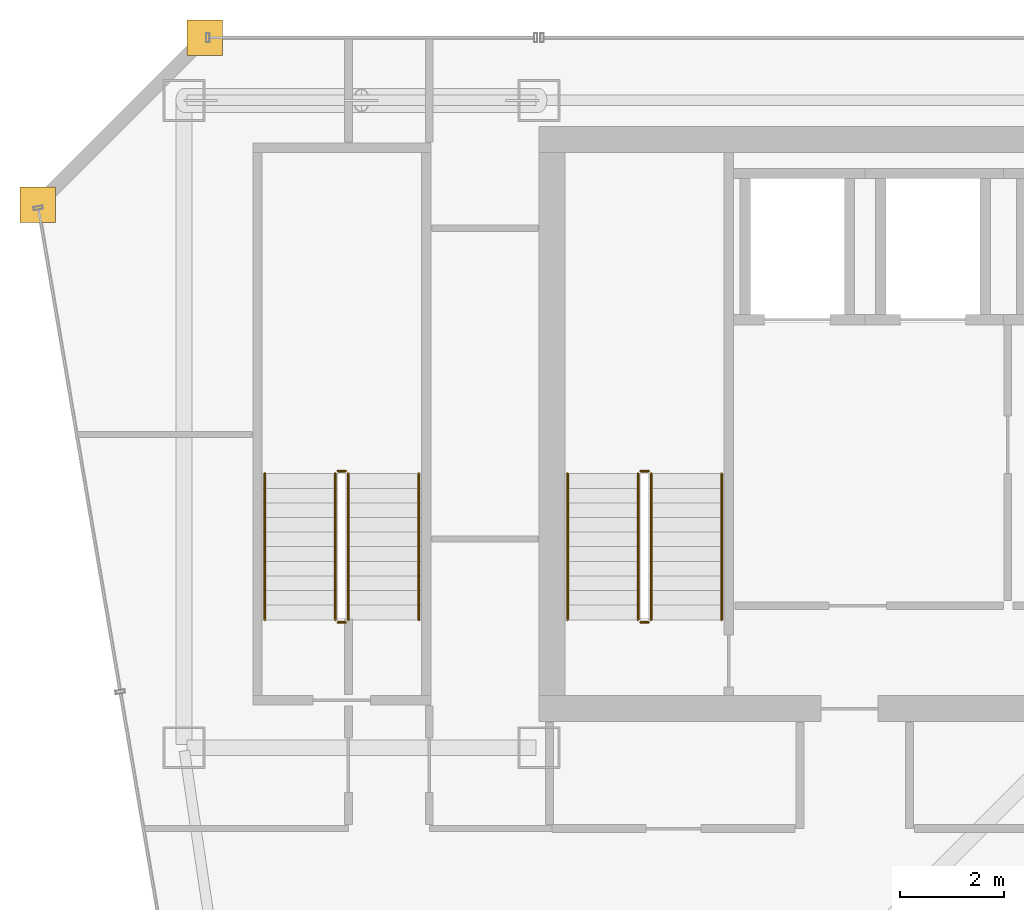
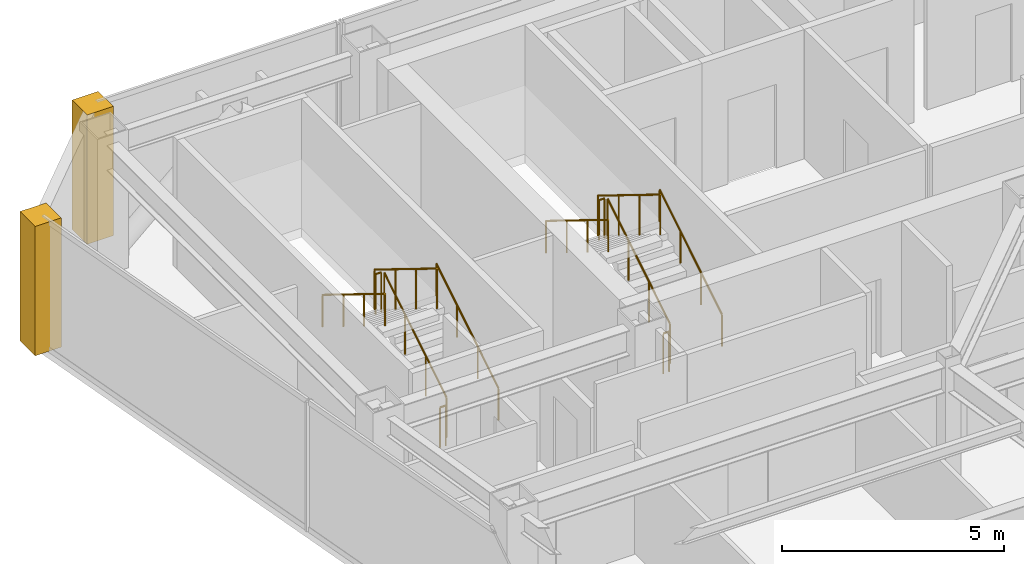
# One storey, part 35 of 36: 12 railings, 2 coverings.
"""IFC4 building model written with IfcOpenShell, lengths in metres."""

from ifc_helpers import new_model, si_unit, direction, frame, origin, origin_2d, place, context, subcontext, project, spatial, polyline, circle, outline, extrude, material, layer, layer_set, type_object, element, save


model = new_model("IFC4")

# Units and contexts
model_context = context("Model", 3, precision=1e-05, world=origin(), true_north=direction((0.0, 1.0)))
body_context = subcontext(model_context, "Body", "Model", "MODEL_VIEW")
ifc_project = project(units=[si_unit("LENGTHUNIT", "METRE"), si_unit("AREAUNIT", "SQUARE_METRE"), si_unit("VOLUMEUNIT", "CUBIC_METRE"), si_unit("PLANEANGLEUNIT", "RADIAN"), si_unit("MASSUNIT", "GRAM", prefix="KILO")], contexts=[model_context])

# Site, building, storey
site_placement = place(None, origin())
site = spatial("IfcSite", under=ifc_project, at=site_placement, CompositionType="ELEMENT")
building_placement = place(site_placement, origin())
building = spatial("IfcBuilding", under=site, at=building_placement, Name="Saevonmaru Cultural Tower", CompositionType="ELEMENT")
storey_placement = place(building_placement, frame((0.0, 0.0, 209.39990234375)))
storey = spatial("IfcBuildingStorey", under=building, at=storey_placement, Name="L48", CompositionType="ELEMENT", Elevation=209.39990234375)

# Coverings
ifc_material_1 = material(Name="Satin Bronze Anodised Aluminium", Category="aluminium")
ifc_layer = layer(ifc_material_1, 0.679931640625, Name="Satin Bronze Anodised Aluminium")
ifc_layer_set = layer_set([ifc_layer], Name="Satin Bronze Anodised Aluminium")
covering_type = type_object("IfcCoveringType", Name="CV-CORNER-CLAD", PredefinedType="CLADDING", material=ifc_layer_set)
covering_1_placement = place(storey_placement, origin())
element("IfcCovering", 1, at=covering_1_placement, inside=storey, type_object=covering_type, Name="L48 Tower Bronze Corner Cladding Pier 11", PredefinedType="CLADDING", context=body_context, shape_type="SweptSolid", body=[
    extrude(outline(polyline([(6.860107421875, 55.659912109375), (7.5400390625, 55.659912109375), (7.5400390625, 56.340087890625), (6.860107421875, 56.340087890625), (6.860107421875, 55.659912109375)])), origin(), (0.0, 0.0, 1.0), 3.550048828125),
])
covering_2_placement = place(storey_placement, origin())
element("IfcCovering", 2, at=covering_2_placement, inside=storey, type_object=covering_type, Name="L48 Tower Bronze Corner Cladding Pier 12", PredefinedType="CLADDING", context=body_context, shape_type="SweptSolid", body=[
    extrude(outline(polyline([(3.659912109375, 52.4599609375), (4.340087890625, 52.4599609375), (4.340087890625, 53.139892578125), (3.659912109375, 53.139892578125), (3.659912109375, 52.4599609375)])), origin(), (0.0, 0.0, 1.0), 3.550048828125),
])

# Railings
ifc_material_2 = material(Name="Architectural Painted Steel", Category="steel")
railing_type_1 = type_object("IfcRailingType", Name="RL-STAIR-GUARD", PredefinedType="GUARDRAIL", material=ifc_material_2)
railing_1_placement = place(storey_placement, frame((15.75, 44.85009765625, 0.1728515625)))
element("IfcRailing", 3, at=railing_1_placement, inside=storey, type_object=railing_type_1, Name="L48 ST-1 stair guard 1", PredefinedType="GUARDRAIL", context=body_context, shape_type="SweptSolid", body=[
    extrude(circle(Radius=0.02392578125, at=origin_2d()), frame((0.0, 0.0, 1.09619140625), z_axis=(0.0, 0.851069175582, 0.525053576669), x_axis=(-1.0, 0.0, 0.0)), (0.0, 0.0, 1.0), 3.289794921875),
    extrude(circle(Radius=0.02099609375, at=origin_2d()), origin(), (0.0, 0.0, 1.0), 1.072021484375),
    extrude(circle(Radius=0.02099609375, at=origin_2d()), frame((0.0, 0.933349609375, 0.57568359375)), (0.0, 0.0, 1.0), 1.072021484375),
    extrude(circle(Radius=0.02099609375, at=origin_2d()), frame((0.0, 1.866455078125, 1.151611328125)), (0.0, 0.0, 1.0), 1.072021484375),
    extrude(circle(Radius=0.02099609375, at=origin_2d()), frame((0.0, 2.7998046875, 1.727294921875)), (0.0, 0.0, 1.0), 1.072021484375),
])
railing_2_placement = place(storey_placement, frame((15.699951171875, 47.699951171875, 1.900146484375)))
element("IfcRailing", 4, at=railing_2_placement, inside=storey, type_object=railing_type_1, Name="L48 ST-1 stair guard 2", PredefinedType="GUARDRAIL", context=body_context, shape_type="SweptSolid", body=[
    extrude(circle(Radius=0.02392578125, at=origin_2d()), frame((0.0, 0.0, 1.09619140625), z_axis=(-1.0, 0.0, 0.0), x_axis=(0.0, -1.0, 0.0)), (0.0, 0.0, 1.0), 0.14990234375),
    extrude(circle(Radius=0.02099609375, at=origin_2d()), origin(), (0.0, 0.0, 1.0), 1.072021484375),
    extrude(circle(Radius=0.02099609375, at=origin_2d()), frame((-0.14990234375, 0.0, 0.0)), (0.0, 0.0, 1.0), 1.072021484375),
])
railing_3_placement = place(storey_placement, frame((15.5, 47.64990234375, 2.07275390625)))
element("IfcRailing", 5, at=railing_3_placement, inside=storey, type_object=railing_type_1, Name="L48 ST-1 stair guard 3", PredefinedType="GUARDRAIL", context=body_context, shape_type="SweptSolid", body=[
    extrude(circle(Radius=0.02392578125, at=origin_2d()), frame((0.0, 0.0, 1.09619140625), z_axis=(0.0, -0.851069175582, 0.525053576669), x_axis=(1.0, 0.0, 0.0)), (0.0, 0.0, 1.0), 3.289794921875),
    extrude(circle(Radius=0.02099609375, at=origin_2d()), origin(), (0.0, 0.0, 1.0), 1.072021484375),
    extrude(circle(Radius=0.02099609375, at=origin_2d()), frame((0.0, -0.933349609375, 0.57568359375)), (0.0, 0.0, 1.0), 1.072021484375),
    extrude(circle(Radius=0.02099609375, at=origin_2d()), frame((0.0, -1.866455078125, 1.151611328125)), (0.0, 0.0, 1.0), 1.072021484375),
    extrude(circle(Radius=0.02099609375, at=origin_2d()), frame((0.0, -2.7998046875, 1.727294921875)), (0.0, 0.0, 1.0), 1.072021484375),
])
railing_4_placement = place(storey_placement, frame((15.699951171875, 44.800048828125, 0.0)))
element("IfcRailing", 6, at=railing_4_placement, inside=storey, type_object=railing_type_1, Name="L48 ST-1 stair guard 4", PredefinedType="GUARDRAIL", context=body_context, shape_type="SweptSolid", body=[
    extrude(circle(Radius=0.02392578125, at=origin_2d()), frame((0.0, 0.0, 1.09619140625), z_axis=(-1.0, 0.0, 0.0), x_axis=(0.0, -1.0, 0.0)), (0.0, 0.0, 1.0), 0.14990234375),
    extrude(circle(Radius=0.02099609375, at=origin_2d()), origin(), (0.0, 0.0, 1.0), 1.072021484375),
    extrude(circle(Radius=0.02099609375, at=origin_2d()), frame((-0.14990234375, 0.0, 0.0)), (0.0, 0.0, 1.0), 1.072021484375),
])
railing_5_placement = place(storey_placement, frame((9.949951171875, 44.85009765625, 0.1728515625)))
element("IfcRailing", 7, at=railing_5_placement, inside=storey, type_object=railing_type_1, Name="L48 ST-3 stair guard 1", PredefinedType="GUARDRAIL", context=body_context, shape_type="SweptSolid", body=[
    extrude(circle(Radius=0.02392578125, at=origin_2d()), frame((0.0, 0.0, 1.09619140625), z_axis=(0.0, 0.851069175582, 0.525053576669), x_axis=(-1.0, 0.0, 0.0)), (0.0, 0.0, 1.0), 3.289794921875),
    extrude(circle(Radius=0.02099609375, at=origin_2d()), origin(), (0.0, 0.0, 1.0), 1.072021484375),
    extrude(circle(Radius=0.02099609375, at=origin_2d()), frame((0.0, 0.933349609375, 0.57568359375)), (0.0, 0.0, 1.0), 1.072021484375),
    extrude(circle(Radius=0.02099609375, at=origin_2d()), frame((0.0, 1.866455078125, 1.151611328125)), (0.0, 0.0, 1.0), 1.072021484375),
    extrude(circle(Radius=0.02099609375, at=origin_2d()), frame((0.0, 2.7998046875, 1.727294921875)), (0.0, 0.0, 1.0), 1.072021484375),
])
railing_6_placement = place(storey_placement, frame((9.89990234375, 47.699951171875, 1.900146484375)))
element("IfcRailing", 8, at=railing_6_placement, inside=storey, type_object=railing_type_1, Name="L48 ST-3 stair guard 2", PredefinedType="GUARDRAIL", context=body_context, shape_type="SweptSolid", body=[
    extrude(circle(Radius=0.02392578125, at=origin_2d()), frame((0.0, 0.0, 1.09619140625), z_axis=(-1.0, 0.0, 0.0), x_axis=(0.0, -1.0, 0.0)), (0.0, 0.0, 1.0), 0.14990234375),
    extrude(circle(Radius=0.02099609375, at=origin_2d()), origin(), (0.0, 0.0, 1.0), 1.072021484375),
    extrude(circle(Radius=0.02099609375, at=origin_2d()), frame((-0.14990234375, 0.0, 0.0)), (0.0, 0.0, 1.0), 1.072021484375),
])
railing_7_placement = place(storey_placement, frame((9.699951171875, 47.64990234375, 2.07275390625)))
element("IfcRailing", 9, at=railing_7_placement, inside=storey, type_object=railing_type_1, Name="L48 ST-3 stair guard 3", PredefinedType="GUARDRAIL", context=body_context, shape_type="SweptSolid", body=[
    extrude(circle(Radius=0.02392578125, at=origin_2d()), frame((0.0, 0.0, 1.09619140625), z_axis=(0.0, -0.851069175582, 0.525053576669), x_axis=(1.0, 0.0, 0.0)), (0.0, 0.0, 1.0), 3.289794921875),
    extrude(circle(Radius=0.02099609375, at=origin_2d()), origin(), (0.0, 0.0, 1.0), 1.072021484375),
    extrude(circle(Radius=0.02099609375, at=origin_2d()), frame((0.0, -0.933349609375, 0.57568359375)), (0.0, 0.0, 1.0), 1.072021484375),
    extrude(circle(Radius=0.02099609375, at=origin_2d()), frame((0.0, -1.866455078125, 1.151611328125)), (0.0, 0.0, 1.0), 1.072021484375),
    extrude(circle(Radius=0.02099609375, at=origin_2d()), frame((0.0, -2.7998046875, 1.727294921875)), (0.0, 0.0, 1.0), 1.072021484375),
])
railing_8_placement = place(storey_placement, frame((9.89990234375, 44.800048828125, 0.0)))
element("IfcRailing", 10, at=railing_8_placement, inside=storey, type_object=railing_type_1, Name="L48 ST-3 stair guard 4", PredefinedType="GUARDRAIL", context=body_context, shape_type="SweptSolid", body=[
    extrude(circle(Radius=0.02392578125, at=origin_2d()), frame((0.0, 0.0, 1.09619140625), z_axis=(-1.0, 0.0, 0.0), x_axis=(0.0, -1.0, 0.0)), (0.0, 0.0, 1.0), 0.14990234375),
    extrude(circle(Radius=0.02099609375, at=origin_2d()), origin(), (0.0, 0.0, 1.0), 1.072021484375),
    extrude(circle(Radius=0.02099609375, at=origin_2d()), frame((-0.14990234375, 0.0, 0.0)), (0.0, 0.0, 1.0), 1.072021484375),
])
railing_type_2 = type_object("IfcRailingType", Name="RL-STAIR-HANDRAIL", PredefinedType="HANDRAIL", material=ifc_material_1)
railing_9_placement = place(storey_placement, frame((17.10009765625, 44.85009765625, 0.1728515625)))
element("IfcRailing", 11, at=railing_9_placement, inside=storey, type_object=railing_type_2, Name="L48 ST-1 stair handrail 1", PredefinedType="HANDRAIL", context=body_context, shape_type="SweptSolid", body=[
    extrude(circle(Radius=0.02392578125, at=origin_2d()), frame((0.0, 0.0, 0.8759765625), z_axis=(0.0, 0.851069175582, 0.525053576669), x_axis=(-1.0, 0.0, 0.0)), (0.0, 0.0, 1.0), 3.289794921875),
    extrude(circle(Radius=0.02099609375, at=origin_2d()), origin(), (0.0, 0.0, 1.0), 0.851806640625),
    extrude(circle(Radius=0.02099609375, at=origin_2d()), frame((0.0, 0.933349609375, 0.57568359375)), (0.0, 0.0, 1.0), 0.851806640625),
    extrude(circle(Radius=0.02099609375, at=origin_2d()), frame((0.0, 1.866455078125, 1.151611328125)), (0.0, 0.0, 1.0), 0.851806640625),
    extrude(circle(Radius=0.02099609375, at=origin_2d()), frame((0.0, 2.7998046875, 1.727294921875)), (0.0, 0.0, 1.0), 0.851806640625),
])
railing_10_placement = place(storey_placement, frame((14.14990234375, 47.64990234375, 2.07275390625)))
element("IfcRailing", 12, at=railing_10_placement, inside=storey, type_object=railing_type_2, Name="L48 ST-1 stair handrail 2", PredefinedType="HANDRAIL", context=body_context, shape_type="SweptSolid", body=[
    extrude(circle(Radius=0.02392578125, at=origin_2d()), frame((0.0, 0.0, 0.8759765625), z_axis=(0.0, -0.851069175582, 0.525053576669), x_axis=(1.0, 0.0, 0.0)), (0.0, 0.0, 1.0), 3.289794921875),
    extrude(circle(Radius=0.02099609375, at=origin_2d()), origin(), (0.0, 0.0, 1.0), 0.851806640625),
    extrude(circle(Radius=0.02099609375, at=origin_2d()), frame((0.0, -0.933349609375, 0.57568359375)), (0.0, 0.0, 1.0), 0.851806640625),
    extrude(circle(Radius=0.02099609375, at=origin_2d()), frame((0.0, -1.866455078125, 1.151611328125)), (0.0, 0.0, 1.0), 0.851806640625),
    extrude(circle(Radius=0.02099609375, at=origin_2d()), frame((0.0, -2.7998046875, 1.727294921875)), (0.0, 0.0, 1.0), 0.851806640625),
])
railing_11_placement = place(storey_placement, frame((11.300048828125, 44.85009765625, 0.1728515625)))
element("IfcRailing", 13, at=railing_11_placement, inside=storey, type_object=railing_type_2, Name="L48 ST-3 stair handrail 1", PredefinedType="HANDRAIL", context=body_context, shape_type="SweptSolid", body=[
    extrude(circle(Radius=0.02392578125, at=origin_2d()), frame((0.0, 0.0, 0.8759765625), z_axis=(0.0, 0.851069175582, 0.525053576669), x_axis=(-1.0, 0.0, 0.0)), (0.0, 0.0, 1.0), 3.289794921875),
    extrude(circle(Radius=0.02099609375, at=origin_2d()), origin(), (0.0, 0.0, 1.0), 0.851806640625),
    extrude(circle(Radius=0.02099609375, at=origin_2d()), frame((0.0, 0.933349609375, 0.57568359375)), (0.0, 0.0, 1.0), 0.851806640625),
    extrude(circle(Radius=0.02099609375, at=origin_2d()), frame((0.0, 1.866455078125, 1.151611328125)), (0.0, 0.0, 1.0), 0.851806640625),
    extrude(circle(Radius=0.02099609375, at=origin_2d()), frame((0.0, 2.7998046875, 1.727294921875)), (0.0, 0.0, 1.0), 0.851806640625),
])
railing_12_placement = place(storey_placement, frame((8.35009765625, 47.64990234375, 2.07275390625)))
element("IfcRailing", 14, at=railing_12_placement, inside=storey, type_object=railing_type_2, Name="L48 ST-3 stair handrail 2", PredefinedType="HANDRAIL", context=body_context, shape_type="SweptSolid", body=[
    extrude(circle(Radius=0.02392578125, at=origin_2d()), frame((0.0, 0.0, 0.8759765625), z_axis=(0.0, -0.851069175582, 0.525053576669), x_axis=(1.0, 0.0, 0.0)), (0.0, 0.0, 1.0), 3.289794921875),
    extrude(circle(Radius=0.02099609375, at=origin_2d()), origin(), (0.0, 0.0, 1.0), 0.851806640625),
    extrude(circle(Radius=0.02099609375, at=origin_2d()), frame((0.0, -0.933349609375, 0.57568359375)), (0.0, 0.0, 1.0), 0.851806640625),
    extrude(circle(Radius=0.02099609375, at=origin_2d()), frame((0.0, -1.866455078125, 1.151611328125)), (0.0, 0.0, 1.0), 0.851806640625),
    extrude(circle(Radius=0.02099609375, at=origin_2d()), frame((0.0, -2.7998046875, 1.727294921875)), (0.0, 0.0, 1.0), 0.851806640625),
])

save(model, "model.ifc")
